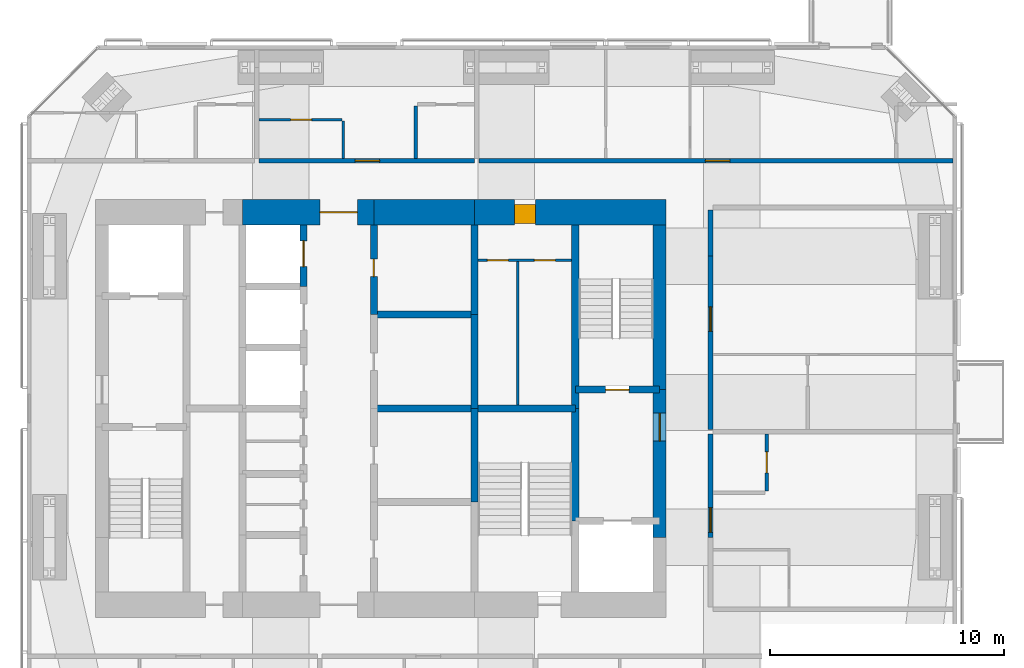
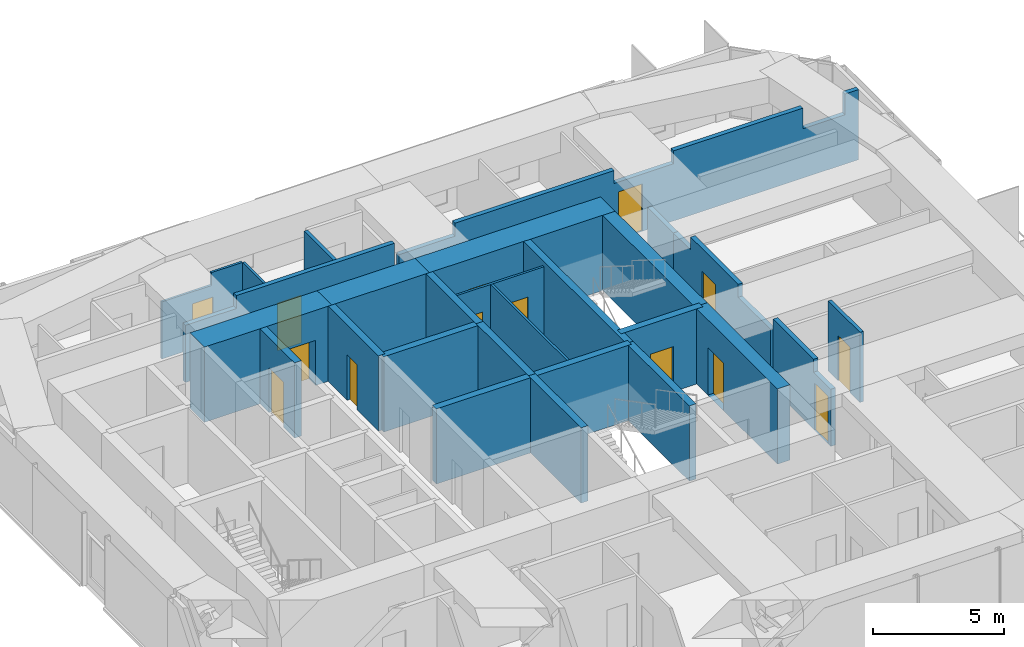
# One storey, part 15 of 18: 27 walls, 14 doors, 14 openings.
"""IFC4 building model written with IfcOpenShell, lengths in metres."""

from ifc_helpers import new_model, si_unit, direction, frame, frame_2d, origin, place, context, subcontext, project, spatial, polyline, rectangle, outline, extrude, material, layer, layer_set, constituent, constituent_set, type_object, element, fill, save


model = new_model("IFC4")

# Units and contexts
model_context = context("Model", 3, precision=1e-05, world=origin(), true_north=direction((0.0, 1.0)))
body_context = subcontext(model_context, "Body", "Model", "MODEL_VIEW")
ifc_project = project(units=[si_unit("LENGTHUNIT", "METRE"), si_unit("AREAUNIT", "SQUARE_METRE"), si_unit("VOLUMEUNIT", "CUBIC_METRE"), si_unit("PLANEANGLEUNIT", "RADIAN"), si_unit("MASSUNIT", "GRAM", prefix="KILO")], contexts=[model_context])

# Site, building, storey
site_placement = place(None, origin())
site = spatial("IfcSite", under=ifc_project, at=site_placement, CompositionType="ELEMENT")
building_placement = place(site_placement, origin())
building = spatial("IfcBuilding", under=site, at=building_placement, Name="Jalousie Tower", CompositionType="ELEMENT")
storey_placement = place(building_placement, frame((0.0, 0.0, 235.449951171875)))
storey = spatial("IfcBuildingStorey", under=building, at=storey_placement, Name="L64", CompositionType="ELEMENT", Elevation=235.449951171875)

# Wall
ifc_material_1 = material(Name="Concrete block ASTM C90", Category="concrete")
ifc_constituent_1 = constituent(ifc_material_1, Name="Body")
ifc_material_2 = material(Name="Render")
ifc_constituent_2 = constituent(ifc_material_2, Name="Finish")
ifc_constituent_set_1 = constituent_set(constituents=[ifc_constituent_1, ifc_constituent_2])
wall_type_1 = type_object("IfcWallType", Name="BATHROOM WALL 150", PredefinedType="PLUMBINGWALL", material=ifc_constituent_set_1)
wall_1_placement = place(storey_placement, frame((33.39990234375, 31.39990234375, 0.0), z_axis=(0.0, 0.0, 1.0), x_axis=(0.0, -1.0, 0.0)))
element("IfcWall", 1, at=wall_1_placement, inside=storey, type_object=wall_type_1, Name="Bathroom Wall 150 L64", PredefinedType="PLUMBINGWALL", context=body_context, shape_type="SweptSolid", body=[
    extrude(rectangle(XDim=2.224853515625, YDim=0.14990234375, at=frame_2d((1.1123046875, 0.0))), origin(), (0.0, 0.0, 1.0), 3.260009765625),
])

# Wall, opening, door
wall_2_placement = place(storey_placement, frame((48.375, 14.97509765625, 0.0), z_axis=(0.0, 0.0, 1.0), x_axis=(0.0, 1.0, 0.0)))
wall_2 = element("IfcWall", 2, at=wall_2_placement, inside=storey, type_object=wall_type_1, Name="Bathroom Wall 150 L64", PredefinedType="PLUMBINGWALL", context=body_context, shape_type="SweptSolid", body=[
    extrude(rectangle(XDim=2.4248046875, YDim=0.14990234375, at=frame_2d((1.21240234375, 0.0))), origin(), (0.0, 0.0, 1.0), 3.260009765625),
])
opening_1_placement = place(wall_2_placement, frame((0.77490234375, 0.0, 0.0)))
opening_1 = element("IfcOpeningElement", 3, at=opening_1_placement, cuts=wall_2, Name="Opening D3", PredefinedType="OPENING", context=body_context, shape_type="SweptSolid", body=[
    extrude(rectangle(XDim=0.89990234375, YDim=2.10009765625, at=frame_2d((0.449951171875, 1.050048828125))), frame((0.0, 0.0849609375, 0.0), z_axis=(0.0, -1.0, 0.0), x_axis=(1.0, 0.0, 0.0)), (0.0, 0.0, 1.0), 0.169921875),
])
ifc_material_3 = material(Name="Timber door", Category="wood")
door_type_1 = type_object("IfcDoorType", Name="BATHROOM DOOR 900", OperationType="SINGLE_SWING_LEFT", PredefinedType="DOOR", material=ifc_material_3)
door_1_placement = place(opening_1_placement, origin())
door_1 = element("IfcDoor", 4, at=door_1_placement, inside=storey, type_object=door_type_1, Name="Apartment 6407 bathroom door", OperationType="SINGLE_SWING_RIGHT", OverallHeight=2.10009765625, OverallWidth=0.89990234375, PredefinedType="DOOR", context=body_context, shape_type="SweptSolid", body=[
    extrude(rectangle(XDim=0.89990234375, YDim=2.10009765625, at=frame_2d((0.449951171875, 1.050048828125))), frame((0.0, 0.02490234375, 0.0), z_axis=(0.0, -1.0, 0.0), x_axis=(1.0, 0.0, 0.0)), (0.0, 0.0, 1.0), 0.050048828125),
])
fill(opening_1, door_1)

ifc_material_4 = material(Name="Concrete f'c 120 MPa", Category="concrete")
ifc_layer_1 = layer(ifc_material_4, 1.10009765625)
ifc_layer_set_1 = layer_set([ifc_layer_1], Name="Concrete f'c 120 MPa")
wall_type_2 = type_object("IfcWallType", Name="CORE WALL 1100", PredefinedType="SHEAR", material=ifc_layer_set_1)
wall_3_placement = place(storey_placement, frame((44.074951171875, 26.875, 0.0), z_axis=(0.0, 0.0, 1.0), x_axis=(-1.0, 0.0, 0.0)))
wall_3 = element("IfcWall", 5, at=wall_3_placement, inside=storey, type_object=wall_type_2, Name="Core wall NA L64", PredefinedType="SHEAR", context=body_context, shape_type="SweptSolid", body=[
    extrude(rectangle(XDim=8.175048828125, YDim=1.10009765625, at=frame_2d((4.08740234375, 0.0))), origin(), (0.0, 0.0, 1.0), 3.5),
])
opening_2_placement = place(wall_3_placement, frame((5.574951171875, 0.0, 0.0)))
opening_2 = element("IfcOpeningElement", 6, at=opening_2_placement, cuts=wall_3, Name="Opening D25", PredefinedType="OPENING", context=body_context, shape_type="SweptSolid", body=[
    extrude(rectangle(XDim=0.89990234375, YDim=2.10009765625, at=frame_2d((0.449951171875, 1.050048828125))), frame((0.0, 0.56005859375, 0.0), z_axis=(0.0, -1.0, 0.0), x_axis=(1.0, 0.0, 0.0)), (0.0, 0.0, 1.0), 1.1201171875),
])
ifc_material_5 = material(Name="Steel fire door", Category="steel")
door_type_2 = type_object("IfcDoorType", Name="SERVICE LOBBY DOOR 900", OperationType="SINGLE_SWING_LEFT", PredefinedType="DOOR", material=ifc_material_5)
door_2_placement = place(opening_2_placement, origin())
door_2 = element("IfcDoor", 7, at=door_2_placement, inside=storey, type_object=door_type_2, Name="Service lobby door", OperationType="SINGLE_SWING_LEFT", OverallHeight=2.10009765625, OverallWidth=0.89990234375, PredefinedType="DOOR", context=body_context, shape_type="SweptSolid", body=[
    extrude(rectangle(XDim=0.89990234375, YDim=2.10009765625, at=frame_2d((0.449951171875, 1.050048828125))), frame((0.0, 0.47021484375, 0.0), z_axis=(0.0, -1.0, 0.0), x_axis=(1.0, 0.0, 0.0)), (0.0, 0.0, 1.0), 0.800048828125),
])
fill(opening_2, door_2)

# Wall
wall_4_placement = place(storey_placement, frame((35.89990234375, 26.875, 0.0), z_axis=(0.0, 0.0, 1.0), x_axis=(-1.0, 0.0, 0.0)))
element("IfcWall", 8, at=wall_4_placement, inside=storey, type_object=wall_type_2, Name="Core wall NB L64", PredefinedType="SHEAR", context=body_context, shape_type="SweptSolid", body=[
    extrude(rectangle(XDim=4.2998046875, YDim=1.10009765625, at=frame_2d((2.14990234375, 0.0))), origin(), (0.0, 0.0, 1.0), 3.5),
])

# Wall, opening, door
wall_5_placement = place(storey_placement, frame((31.60009765625, 26.875, 0.0), z_axis=(0.0, 0.0, 1.0), x_axis=(-1.0, 0.0, 0.0)))
wall_5 = element("IfcWall", 9, at=wall_5_placement, inside=storey, type_object=wall_type_2, Name="Core wall NC L64", PredefinedType="SHEAR", context=body_context, shape_type="SweptSolid", body=[
    extrude(rectangle(XDim=5.60009765625, YDim=1.10009765625, at=frame_2d((2.800048828125, 0.0))), origin(), (0.0, 0.0, 1.0), 3.5),
])
opening_3_placement = place(wall_5_placement, frame((0.699951171875, 0.0, 0.0)))
opening_3 = element("IfcOpeningElement", 10, at=opening_3_placement, cuts=wall_5, Name="Opening D15", PredefinedType="OPENING", context=body_context, shape_type="SweptSolid", body=[
    extrude(rectangle(XDim=1.60009765625, YDim=2.10009765625, at=frame_2d((0.800048828125, 1.050048828125))), frame((0.0, 0.56005859375, 0.0), z_axis=(0.0, -1.0, 0.0), x_axis=(1.0, 0.0, 0.0)), (0.0, 0.0, 1.0), 1.1201171875),
])
ifc_material_6 = material(Name="Steel fire door", Category="steel")
door_type_3 = type_object("IfcDoorType", Name="LIFT LOBBY DOOR 1600", OperationType="DOUBLE_DOOR_SINGLE_SWING", PredefinedType="DOOR", material=ifc_material_6)
door_3_placement = place(opening_3_placement, origin())
door_3 = element("IfcDoor", 11, at=door_3_placement, inside=storey, type_object=door_type_3, Name="Lift lobby north door", OperationType="DOUBLE_DOOR_SINGLE_SWING", OverallHeight=2.10009765625, OverallWidth=1.60009765625, PredefinedType="DOOR", context=body_context, shape_type="SweptSolid", body=[
    extrude(rectangle(XDim=1.60009765625, YDim=2.10009765625, at=frame_2d((0.800048828125, 1.050048828125))), frame((0.0, 0.02490234375, 0.0), z_axis=(0.0, -1.0, 0.0), x_axis=(1.0, 0.0, 0.0)), (0.0, 0.0, 1.0), 0.050048828125),
])
fill(opening_3, door_3)

ifc_material_7 = material(Name="Concrete f'c 120 MPa", Category="concrete")
ifc_layer_2 = layer(ifc_material_7, 0.300048828125)
ifc_layer_set_2 = layer_set([ifc_layer_2], Name="Concrete f'c 120 MPa")
wall_type_3 = type_object("IfcWallType", Name="CORE WALL 300", PredefinedType="SHEAR", material=ifc_layer_set_2)
wall_6_placement = place(storey_placement, frame((28.60009765625, 23.699951171875, 0.0), z_axis=(0.0, 0.0, 1.0), x_axis=(0.0, 1.0, 0.0)))
wall_6 = element("IfcWall", 12, at=wall_6_placement, inside=storey, type_object=wall_type_3, Name="Core wall X28.6F L64", PredefinedType="SHEAR", context=body_context, shape_type="SweptSolid", body=[
    extrude(rectangle(XDim=2.625, YDim=0.300048828125, at=frame_2d((1.3125, 0.0))), origin(), (0.0, 0.0, 1.0), 3.5),
])
opening_4_placement = place(wall_6_placement, frame((0.85009765625, 0.0, 0.0)))
opening_4 = element("IfcOpeningElement", 13, at=opening_4_placement, cuts=wall_6, Name="Opening LD1", PredefinedType="OPENING", context=body_context, shape_type="SweptSolid", body=[
    extrude(rectangle(XDim=1.10009765625, YDim=2.10009765625, at=frame_2d((0.550048828125, 1.050048828125))), frame((0.0, 0.159912109375, 0.0), z_axis=(0.0, -1.0, 0.0), x_axis=(1.0, 0.0, 0.0)), (0.0, 0.0, 1.0), 0.320068359375),
])
ifc_material_8 = material(Name="Steel lift landing door", Category="steel")
door_type_4 = type_object("IfcDoorType", Name="LIFT LANDING DOOR 1100", OperationType="SLIDING_TO_LEFT", PredefinedType="DOOR", material=ifc_material_8)
door_4_placement = place(opening_4_placement, origin())
door_4 = element("IfcDoor", 14, at=door_4_placement, inside=storey, type_object=door_type_4, Name="Lift P6 landing door", OperationType="SLIDING_TO_LEFT", OverallHeight=2.10009765625, OverallWidth=1.10009765625, PredefinedType="DOOR", context=body_context, shape_type="SweptSolid", body=[
    extrude(rectangle(XDim=1.10009765625, YDim=2.10009765625, at=frame_2d((0.550048828125, 1.050048828125))), frame((0.0, 0.02490234375, 0.0), z_axis=(0.0, -1.0, 0.0), x_axis=(1.0, 0.0, 0.0)), (0.0, 0.0, 1.0), 0.050048828125),
])
fill(opening_4, door_4)

wall_7_placement = place(storey_placement, frame((31.60009765625, 22.5, 0.0), z_axis=(0.0, 0.0, 1.0), x_axis=(0.0, 1.0, 0.0)))
wall_7 = element("IfcWall", 15, at=wall_7_placement, inside=storey, type_object=wall_type_3, Name="Core wall X31.6D L64", PredefinedType="SHEAR", context=body_context, shape_type="SweptSolid", body=[
    extrude(rectangle(XDim=3.824951171875, YDim=0.300048828125, at=frame_2d((1.91259765625, 0.0))), origin(), (0.0, 0.0, 1.0), 3.5),
])
opening_5_placement = place(wall_7_placement, frame((1.625, 0.0, 0.0)))
opening_5 = element("IfcOpeningElement", 16, at=opening_5_placement, cuts=wall_7, Name="Opening D16", PredefinedType="OPENING", context=body_context, shape_type="SweptSolid", body=[
    extrude(rectangle(XDim=0.75, YDim=2.10009765625, at=frame_2d((0.375, 1.050048828125))), frame((0.0, 0.159912109375, 0.0), z_axis=(0.0, -1.0, 0.0), x_axis=(1.0, 0.0, 0.0)), (0.0, 0.0, 1.0), 0.320068359375),
])
ifc_material_9 = material(Name="Steel fire door", Category="steel")
door_type_5 = type_object("IfcDoorType", Name="RISER DOOR 750", OperationType="SINGLE_SWING_LEFT", PredefinedType="DOOR", material=ifc_material_9)
door_5_placement = place(opening_5_placement, frame((0.75, 0.0, 0.0), z_axis=(0.0, 0.0, 1.0), x_axis=(-1.0, 0.0, 0.0)))
door_5 = element("IfcDoor", 17, at=door_5_placement, inside=storey, type_object=door_type_5, Name="Water Services Room door", OperationType="SINGLE_SWING_LEFT", OverallHeight=2.10009765625, OverallWidth=0.75, PredefinedType="DOOR", context=body_context, shape_type="SweptSolid", body=[
    extrude(rectangle(XDim=0.75, YDim=2.10009765625, at=frame_2d((0.375, 1.050048828125))), frame((0.0, 0.02490234375, 0.0), z_axis=(0.0, -1.0, 0.0), x_axis=(1.0, 0.0, 0.0)), (0.0, 0.0, 1.0), 0.050048828125),
])
fill(opening_5, door_5)

# Walls
for number, where, z_axis, x_axis, name in (
    (18, (35.89990234375, 14.5, 0.0), (0.0, 0.0, 1.0), (0.0, 1.0, 0.0), "Core wall X35.9B L64"),
    (19, (35.89990234375, 18.5, 0.0), (0.0, 0.0, 1.0), (0.0, 1.0, 0.0), "Core wall X35.9C L64"),
):
    element("IfcWall", number, at=place(storey_placement, frame(where, z_axis=z_axis, x_axis=x_axis)), inside=storey, type_object=wall_type_3, Name=name, PredefinedType="SHEAR", context=body_context, shape_type="SweptSolid", body=[
        extrude(rectangle(XDim=4.0, YDim=0.300048828125, at=frame_2d((2.0, 0.0))), origin(), (0.0, 0.0, 1.0), 3.5),
    ])
wall_8_placement = place(storey_placement, frame((35.89990234375, 22.5, 0.0), z_axis=(0.0, 0.0, 1.0), x_axis=(0.0, 1.0, 0.0)))
element("IfcWall", 20, at=wall_8_placement, inside=storey, type_object=wall_type_3, Name="Core wall X35.9D L64", PredefinedType="SHEAR", context=body_context, shape_type="SweptSolid", body=[
    extrude(rectangle(XDim=3.824951171875, YDim=0.300048828125, at=frame_2d((1.91259765625, 0.0))), origin(), (0.0, 0.0, 1.0), 3.5),
])
wall_9_placement = place(storey_placement, frame((40.199951171875, 13.699951171875, 0.0), z_axis=(0.0, 0.0, 1.0), x_axis=(0.0, 1.0, 0.0)))
element("IfcWall", 21, at=wall_9_placement, inside=storey, type_object=wall_type_3, Name="Core wall X40.2B L64", PredefinedType="SHEAR", context=body_context, shape_type="SweptSolid", body=[
    extrude(rectangle(XDim=4.800048828125, YDim=0.300048828125, at=frame_2d((2.39990234375, 0.0))), origin(), (0.0, 0.0, 1.0), 3.5),
])
wall_10_placement = place(storey_placement, frame((40.199951171875, 18.5, 0.0), z_axis=(0.0, 0.0, 1.0), x_axis=(0.0, 1.0, 0.0)))
element("IfcWall", 22, at=wall_10_placement, inside=storey, type_object=wall_type_3, Name="Core wall X40.2C L64", PredefinedType="SHEAR", context=body_context, shape_type="SweptSolid", body=[
    extrude(rectangle(XDim=7.824951171875, YDim=0.300048828125, at=frame_2d((3.91259765625, 0.0))), origin(), (0.0, 0.0, 1.0), 3.5),
])
for number, where, z_axis, x_axis, name in (
    (23, (31.60009765625, 18.5, 0.0), (0.0, 0.0, 1.0), (1.0, 0.0, 0.0), "Core wall Y31.6-18.5 L64"),
    (24, (31.60009765625, 22.5, 0.0), (0.0, 0.0, 1.0), (1.0, 0.0, 0.0), "Core wall Y31.6-22.5 L64"),
):
    element("IfcWall", number, at=place(storey_placement, frame(where, z_axis=z_axis, x_axis=x_axis)), inside=storey, type_object=wall_type_3, Name=name, PredefinedType="SHEAR", context=body_context, shape_type="SweptSolid", body=[
        extrude(rectangle(XDim=4.2998046875, YDim=0.300048828125, at=frame_2d((2.14990234375, 0.0))), origin(), (0.0, 0.0, 1.0), 3.5),
    ])
wall_11_placement = place(storey_placement, frame((35.89990234375, 18.5, 0.0), z_axis=(0.0, 0.0, 1.0), x_axis=(1.0, 0.0, 0.0)))
element("IfcWall", 25, at=wall_11_placement, inside=storey, type_object=wall_type_3, Name="Core wall Y35.9-18.5 L64", PredefinedType="SHEAR", context=body_context, shape_type="SweptSolid", body=[
    extrude(rectangle(XDim=4.300048828125, YDim=0.300048828125, at=frame_2d((2.14990234375, 0.0))), origin(), (0.0, 0.0, 1.0), 3.5),
])

# Wall, opening, door
wall_12_placement = place(storey_placement, frame((40.199951171875, 19.300048828125, 0.0), z_axis=(0.0, 0.0, 1.0), x_axis=(1.0, 0.0, 0.0)))
wall_12 = element("IfcWall", 26, at=wall_12_placement, inside=storey, type_object=wall_type_3, Name="Core wall Y40.2-19.3 L64", PredefinedType="SHEAR", context=body_context, shape_type="SweptSolid", body=[
    extrude(rectangle(XDim=3.60009765625, YDim=0.300048828125, at=frame_2d((1.800048828125, 0.0))), origin(), (0.0, 0.0, 1.0), 3.5),
])
opening_6_placement = place(wall_12_placement, frame((1.300048828125, 0.0, 0.0)))
opening_6 = element("IfcOpeningElement", 27, at=opening_6_placement, cuts=wall_12, Name="Opening D10", PredefinedType="OPENING", context=body_context, shape_type="SweptSolid", body=[
    extrude(rectangle(XDim=1.0, YDim=2.10009765625, at=frame_2d((0.5, 1.050048828125))), frame((0.0, 0.159912109375, 0.0), z_axis=(0.0, -1.0, 0.0), x_axis=(1.0, 0.0, 0.0)), (0.0, 0.0, 1.0), 0.320068359375),
])
ifc_material_10 = material(Name="Steel fire door", Category="steel")
door_type_6 = type_object("IfcDoorType", Name="STAIR DOOR 1000", OperationType="SINGLE_SWING_LEFT", PredefinedType="DOOR", material=ifc_material_10)
door_6_placement = place(opening_6_placement, origin())
door_6 = element("IfcDoor", 28, at=door_6_placement, inside=storey, type_object=door_type_6, Name="Exit stair B door", OperationType="SINGLE_SWING_RIGHT", OverallHeight=2.10009765625, OverallWidth=1.0, PredefinedType="DOOR", context=body_context, shape_type="SweptSolid", body=[
    extrude(rectangle(XDim=1.0, YDim=2.10009765625, at=frame_2d((0.5, 1.050048828125))), frame((0.0, 0.02490234375, 0.0), z_axis=(0.0, -1.0, 0.0), x_axis=(1.0, 0.0, 0.0)), (0.0, 0.0, 1.0), 0.050048828125),
])
fill(opening_6, door_6)

ifc_material_11 = material(Name="Concrete f'c 120 MPa", Category="concrete")
ifc_layer_3 = layer(ifc_material_11, 0.550048828125)
ifc_layer_set_3 = layer_set([ifc_layer_3], Name="Concrete f'c 120 MPa")
wall_type_4 = type_object("IfcWallType", Name="CORE WALL 550", PredefinedType="SHEAR", material=ifc_layer_set_3)
wall_13_placement = place(storey_placement, frame((43.800048828125, 13.0, 0.0), z_axis=(0.0, 0.0, 1.0), x_axis=(0.0, 1.0, 0.0)))
wall_13 = element("IfcWall", 29, at=wall_13_placement, inside=storey, type_object=wall_type_4, Name="Core wall EB L64", PredefinedType="SHEAR", context=body_context, shape_type="SweptSolid", body=[
    extrude(rectangle(XDim=6.300048828125, YDim=0.550048828125, at=frame_2d((3.14990234375, 0.0))), origin(), (0.0, 0.0, 1.0), 3.5),
])
opening_7_placement = place(wall_13_placement, frame((4.10009765625, 0.0, 0.0)))
opening_7 = element("IfcOpeningElement", 30, at=opening_7_placement, cuts=wall_13, Name="Opening D11", PredefinedType="OPENING", context=body_context, shape_type="SweptSolid", body=[
    extrude(rectangle(XDim=1.199951171875, YDim=2.199951171875, at=frame_2d((0.60009765625, 1.10009765625))), frame((0.0, 0.284912109375, 0.0), z_axis=(0.0, -1.0, 0.0), x_axis=(1.0, 0.0, 0.0)), (0.0, 0.0, 1.0), 0.570068359375),
])
ifc_material_12 = material(Name="Steel fire door", Category="steel")
door_type_7 = type_object("IfcDoorType", Name="FIRE DOOR 1200", OperationType="SINGLE_SWING_LEFT", PredefinedType="DOOR", material=ifc_material_12)
door_7_placement = place(opening_7_placement, origin())
door_7 = element("IfcDoor", 31, at=door_7_placement, inside=storey, type_object=door_type_7, Name="Fire-fighting lobby B door", OperationType="SINGLE_SWING_RIGHT", OverallHeight=2.199951171875, OverallWidth=1.199951171875, PredefinedType="DOOR", context=body_context, shape_type="SweptSolid", body=[
    extrude(rectangle(XDim=1.199951171875, YDim=2.199951171875, at=frame_2d((0.60009765625, 1.10009765625))), frame((0.0, 0.02490234375, 0.0), z_axis=(0.0, -1.0, 0.0), x_axis=(1.0, 0.0, 0.0)), (0.0, 0.0, 1.0), 0.050048828125),
])
fill(opening_7, door_7)

# Wall
wall_14_placement = place(storey_placement, frame((43.800048828125, 19.300048828125, 0.0), z_axis=(0.0, 0.0, 1.0), x_axis=(0.0, 1.0, 0.0)))
element("IfcWall", 32, at=wall_14_placement, inside=storey, type_object=wall_type_4, Name="Core wall EC L64", PredefinedType="SHEAR", context=body_context, shape_type="SweptSolid", body=[
    extrude(rectangle(XDim=7.02490234375, YDim=0.550048828125, at=frame_2d((3.512451171875, 0.0))), origin(), (0.0, 0.0, 1.0), 3.5),
])

# Wall, opening, door
ifc_material_13 = material(Name="Concrete block ASTM C90", Category="concrete")
ifc_constituent_3 = constituent(ifc_material_13, Name="Body")
ifc_material_14 = material(Name="Render")
ifc_constituent_4 = constituent(ifc_material_14, Name="Finish")
ifc_constituent_set_2 = constituent_set(constituents=[ifc_constituent_3, ifc_constituent_4])
wall_type_5 = type_object("IfcWallType", Name="CORRIDOR WALL 200", PredefinedType="PARTITIONING", material=ifc_constituent_set_2)
wall_15_placement = place(storey_placement, frame((26.699951171875, 29.074951171875, 0.0), z_axis=(0.0, 0.0, 1.0), x_axis=(1.0, 0.0, 0.0)))
wall_15 = element("IfcWall", 33, at=wall_15_placement, inside=storey, type_object=wall_type_5, Name="Corridor Wall 200 L64", PredefinedType="PARTITIONING", context=body_context, shape_type="SweptSolid", body=[
    extrude(outline(polyline([(0.0, 0.0), (9.199951171875, 0.0), (9.199951171875, 3.260009765625), (2.235107421875, 3.260009765625), (2.235107421875, 2.66015625), (0.0, 2.66015625), (0.0, 3.260009765625), (0.0, 0.0)])), frame((0.0, 0.10009765625, 0.0), z_axis=(0.0, -1.0, 0.0), x_axis=(1.0, 0.0, 0.0)), (0.0, 0.0, 1.0), 0.199951171875),
])
opening_8_placement = place(wall_15_placement, frame((4.10009765625, 0.0, 0.0)))
opening_8 = element("IfcOpeningElement", 34, at=opening_8_placement, cuts=wall_15, Name="Opening D1", PredefinedType="OPENING", context=body_context, shape_type="SweptSolid", body=[
    extrude(rectangle(XDim=1.050048828125, YDim=2.199951171875, at=frame_2d((0.52490234375, 1.10009765625))), frame((0.0, 0.10986328125, 0.0), z_axis=(0.0, -1.0, 0.0), x_axis=(1.0, 0.0, 0.0)), (0.0, 0.0, 1.0), 0.219970703125),
])
ifc_material_15 = material(Name="Timber fire door", Category="wood")
door_type_8 = type_object("IfcDoorType", Name="APARTMENT ENTRANCE DOOR 1050", OperationType="SINGLE_SWING_LEFT", PredefinedType="DOOR", material=ifc_material_15)
door_8_placement = place(opening_8_placement, origin())
door_8 = element("IfcDoor", 35, at=door_8_placement, inside=storey, type_object=door_type_8, Name="Apartment 6405 entrance", OperationType="SINGLE_SWING_LEFT", OverallHeight=2.199951171875, OverallWidth=1.050048828125, PredefinedType="DOOR", context=body_context, shape_type="SweptSolid", body=[
    extrude(rectangle(XDim=1.050048828125, YDim=2.199951171875, at=frame_2d((0.52490234375, 1.10009765625))), frame((0.0, 0.02490234375, 0.0), z_axis=(0.0, -1.0, 0.0), x_axis=(1.0, 0.0, 0.0)), (0.0, 0.0, 1.0), 0.050048828125),
])
fill(opening_8, door_8)

wall_16_placement = place(storey_placement, frame((36.10009765625, 29.074951171875, 0.0), z_axis=(0.0, 0.0, 1.0), x_axis=(1.0, 0.0, 0.0)))
wall_16 = element("IfcWall", 36, at=wall_16_placement, inside=storey, type_object=wall_type_5, Name="Corridor Wall 200 L64", PredefinedType="PARTITIONING", context=body_context, shape_type="SweptSolid", body=[
    extrude(outline(polyline([(0.0, 0.0), (20.224853515625, 0.0), (20.22509765625, 3.260009765625), (19.621337890625, 3.260009765625), (19.621337890625, 2.300048828125), (17.7705078125, 2.300048828125), (17.7705078125, 3.260009765625), (12.0849609375, 3.260009765625), (12.0849609375, 2.66015625), (9.465087890625, 2.66015625), (9.465087890625, 3.260009765625), (2.4599609375, 3.260009765625), (2.4599609375, 2.66015625), (0.0, 2.66015625), (0.0, 3.260009765625), (0.0, 0.0)])), frame((0.0, 0.10009765625, 0.0), z_axis=(0.0, -1.0, 0.0), x_axis=(1.0, 0.0, 0.0)), (0.0, 0.0, 1.0), 0.199951171875),
])
opening_9_placement = place(wall_16_placement, frame((9.64990234375, 0.0, 0.0)))
opening_9 = element("IfcOpeningElement", 37, at=opening_9_placement, cuts=wall_16, Name="Opening D1", PredefinedType="OPENING", context=body_context, shape_type="SweptSolid", body=[
    extrude(rectangle(XDim=1.050048828125, YDim=2.199951171875, at=frame_2d((0.52490234375, 1.10009765625))), frame((0.0, 0.10986328125, 0.0), z_axis=(0.0, -1.0, 0.0), x_axis=(1.0, 0.0, 0.0)), (0.0, 0.0, 1.0), 0.219970703125),
])
door_9_placement = place(opening_9_placement, origin())
door_9 = element("IfcDoor", 38, at=door_9_placement, inside=storey, type_object=door_type_8, Name="Apartment 6406 entrance", OperationType="SINGLE_SWING_LEFT", OverallHeight=2.199951171875, OverallWidth=1.050048828125, PredefinedType="DOOR", context=body_context, shape_type="SweptSolid", body=[
    extrude(rectangle(XDim=1.050048828125, YDim=2.199951171875, at=frame_2d((0.52490234375, 1.10009765625))), frame((0.0, 0.02490234375, 0.0), z_axis=(0.0, -1.0, 0.0), x_axis=(1.0, 0.0, 0.0)), (0.0, 0.0, 1.0), 0.050048828125),
])
fill(opening_9, door_9)

wall_17_placement = place(storey_placement, frame((45.97509765625, 13.0, 0.0), z_axis=(0.0, 0.0, 1.0), x_axis=(0.0, 1.0, 0.0)))
wall_17 = element("IfcWall", 39, at=wall_17_placement, inside=storey, type_object=wall_type_5, Name="Corridor Wall 200 L64-B", PredefinedType="PARTITIONING", context=body_context, shape_type="SweptSolid", body=[
    extrude(outline(polyline([(0.0, 0.0), (4.39990234375, 0.0), (4.39990234375, 3.260009765625), (1.31005859375, 3.260009765625), (1.31005859375, 2.66015625), (0.0, 2.66015625), (0.0, 0.0)])), frame((0.0, 0.10009765625, 0.0), z_axis=(0.0, -1.0, 0.0), x_axis=(1.0, 0.0, 0.0)), (0.0, 0.0, 1.0), 0.199951171875),
])
opening_10_placement = place(wall_17_placement, frame((0.21240234375, 0.0, 0.0)))
opening_10 = element("IfcOpeningElement", 40, at=opening_10_placement, cuts=wall_17, Name="Opening D1", PredefinedType="OPENING", context=body_context, shape_type="SweptSolid", body=[
    extrude(rectangle(XDim=1.050048828125, YDim=2.199951171875, at=frame_2d((0.52490234375, 1.10009765625))), frame((0.0, 0.10986328125, 0.0), z_axis=(0.0, -1.0, 0.0), x_axis=(1.0, 0.0, 0.0)), (0.0, 0.0, 1.0), 0.219970703125),
])
door_10_placement = place(opening_10_placement, frame((1.050048828125, 0.0, 0.0), z_axis=(0.0, 0.0, 1.0), x_axis=(-1.0, 0.0, 0.0)))
door_10 = element("IfcDoor", 41, at=door_10_placement, inside=storey, type_object=door_type_8, Name="Apartment 6407 entrance", OperationType="SINGLE_SWING_LEFT", OverallHeight=2.199951171875, OverallWidth=1.050048828125, PredefinedType="DOOR", context=body_context, shape_type="SweptSolid", body=[
    extrude(rectangle(XDim=1.050048828125, YDim=2.199951171875, at=frame_2d((0.52490234375, 1.10009765625))), frame((0.0, 0.02490234375, 0.0), z_axis=(0.0, -1.0, 0.0), x_axis=(1.0, 0.0, 0.0)), (0.0, 0.0, 1.0), 0.050048828125),
])
fill(opening_10, door_10)

wall_18_placement = place(storey_placement, frame((45.97509765625, 17.60009765625, 0.0), z_axis=(0.0, 0.0, 1.0), x_axis=(0.0, 1.0, 0.0)))
wall_18 = element("IfcWall", 42, at=wall_18_placement, inside=storey, type_object=wall_type_5, Name="Corridor Wall 200 L64-A", PredefinedType="PARTITIONING", context=body_context, shape_type="SweptSolid", body=[
    extrude(outline(polyline([(0.0, 0.0), (7.39990234375, 0.0), (7.39990234375, 2.66015625), (6.090087890625, 2.66015625), (6.090087890625, 3.260009765625), (2.4599609375, 3.260009765625), (2.4599609375, 2.66015625), (0.0, 2.66015625), (0.0, 0.0)])), frame((0.0, 0.10009765625, 0.0), z_axis=(0.0, -1.0, 0.0), x_axis=(1.0, 0.0, 0.0)), (0.0, 0.0, 1.0), 0.199951171875),
])
opening_11_placement = place(wall_18_placement, frame((4.1875, 0.0, 0.0)))
opening_11 = element("IfcOpeningElement", 43, at=opening_11_placement, cuts=wall_18, Name="Opening D1", PredefinedType="OPENING", context=body_context, shape_type="SweptSolid", body=[
    extrude(rectangle(XDim=1.050048828125, YDim=2.199951171875, at=frame_2d((0.52490234375, 1.10009765625))), frame((0.0, 0.10986328125, 0.0), z_axis=(0.0, -1.0, 0.0), x_axis=(1.0, 0.0, 0.0)), (0.0, 0.0, 1.0), 0.219970703125),
])
door_11_placement = place(opening_11_placement, frame((1.050048828125, 0.0, 0.0), z_axis=(0.0, 0.0, 1.0), x_axis=(-1.0, 0.0, 0.0)))
door_11 = element("IfcDoor", 44, at=door_11_placement, inside=storey, type_object=door_type_8, Name="Apartment 6408 entrance", OperationType="SINGLE_SWING_RIGHT", OverallHeight=2.199951171875, OverallWidth=1.050048828125, PredefinedType="DOOR", context=body_context, shape_type="SweptSolid", body=[
    extrude(rectangle(XDim=1.050048828125, YDim=2.199951171875, at=frame_2d((0.52490234375, 1.10009765625))), frame((0.0, 0.02490234375, 0.0), z_axis=(0.0, -1.0, 0.0), x_axis=(1.0, 0.0, 0.0)), (0.0, 0.0, 1.0), 0.050048828125),
])
fill(opening_11, door_11)

# Wall
wall_19_placement = place(storey_placement, frame((45.97509765625, 25.0, 0.0), z_axis=(0.0, 0.0, 1.0), x_axis=(0.0, 1.0, 0.0)))
element("IfcWall", 45, at=wall_19_placement, inside=storey, type_object=wall_type_5, Name="Corridor Wall 200 L64-B", PredefinedType="PARTITIONING", context=body_context, shape_type="SweptSolid", body=[
    extrude(rectangle(XDim=1.97509765625, YDim=0.199951171875, at=frame_2d((0.987548828125, 0.0))), origin(), (0.0, 0.0, 1.0), 2.66015625),
])

# Wall, opening, door
ifc_material_16 = material(Name="Gypsum board", Category="gypsum")
ifc_constituent_5 = constituent(ifc_material_16, Name="Body")
ifc_material_17 = material(Name="Light-gauge steel studs ASTM A653 SS Grade 33", Category="steel")
ifc_constituent_6 = constituent(ifc_material_17, Name="Framing")
ifc_constituent_set_3 = constituent_set(constituents=[ifc_constituent_5, ifc_constituent_6])
wall_type_6 = type_object("IfcWallType", Name="PARTITION 100", PredefinedType="PARTITIONING", material=ifc_constituent_set_3)
wall_20_placement = place(storey_placement, frame((26.699951171875, 30.824951171875, 0.0), z_axis=(0.0, 0.0, 1.0), x_axis=(1.0, 0.0, 0.0)))
wall_20 = element("IfcWall", 46, at=wall_20_placement, inside=storey, type_object=wall_type_6, Name="Partition 100 L64", PredefinedType="PARTITIONING", context=body_context, shape_type="SweptSolid", body=[
    extrude(outline(polyline([(0.0, 0.0), (3.550048828125, 0.0), (3.550048828125, 3.260009765625), (2.18505859375, 3.260009765625), (2.18505859375, 2.66015625), (0.0, 2.66015625), (0.0, 3.260009765625), (0.0, 0.0)])), frame((0.0, 0.050048828125, 0.0), z_axis=(0.0, -1.0, 0.0), x_axis=(1.0, 0.0, 0.0)), (0.0, 0.0, 1.0), 0.10009765625),
])
opening_12_placement = place(wall_20_placement, frame((1.35009765625, 0.0, 0.0)))
opening_12 = element("IfcOpeningElement", 47, at=opening_12_placement, cuts=wall_20, Name="Opening D7", PredefinedType="OPENING", context=body_context, shape_type="SweptSolid", body=[
    extrude(rectangle(XDim=0.89990234375, YDim=2.10009765625, at=frame_2d((0.449951171875, 1.050048828125))), frame((0.0, 0.06005859375, 0.0), z_axis=(0.0, -1.0, 0.0), x_axis=(1.0, 0.0, 0.0)), (0.0, 0.0, 1.0), 0.1201171875),
])
ifc_material_18 = material(Name="Timber door", Category="wood")
door_type_9 = type_object("IfcDoorType", Name="INTERNAL DOOR 900", OperationType="SINGLE_SWING_LEFT", PredefinedType="DOOR", material=ifc_material_18)
door_12_placement = place(opening_12_placement, frame((0.89990234375, 0.0, 0.0), z_axis=(0.0, 0.0, 1.0), x_axis=(-1.0, 0.0, 0.0)))
door_12 = element("IfcDoor", 48, at=door_12_placement, inside=storey, type_object=door_type_9, Name="Apartment 6405 kitchen door", OperationType="SINGLE_SWING_LEFT", OverallHeight=2.10009765625, OverallWidth=0.89990234375, PredefinedType="DOOR", context=body_context, shape_type="SweptSolid", body=[
    extrude(rectangle(XDim=0.89990234375, YDim=2.10009765625, at=frame_2d((0.449951171875, 1.050048828125))), frame((0.0, 0.02490234375, 0.0), z_axis=(0.0, -1.0, 0.0), x_axis=(1.0, 0.0, 0.0)), (0.0, 0.0, 1.0), 0.050048828125),
])
fill(opening_12, door_12)

# Wall
wall_21_placement = place(storey_placement, frame((30.300048828125, 30.77490234375, 0.0), z_axis=(0.0, 0.0, 1.0), x_axis=(0.0, -1.0, 0.0)))
element("IfcWall", 49, at=wall_21_placement, inside=storey, type_object=wall_type_6, Name="Partition 100 L64", PredefinedType="PARTITIONING", context=body_context, shape_type="SweptSolid", body=[
    extrude(rectangle(XDim=1.599853515625, YDim=0.10009765625, at=frame_2d((0.7998046875, 0.0))), origin(), (0.0, 0.0, 1.0), 3.260009765625),
])

# Wall, openings, doors
wall_22_placement = place(storey_placement, frame((36.050048828125, 24.824951171875, 0.0), z_axis=(0.0, 0.0, 1.0), x_axis=(1.0, 0.0, 0.0)))
wall_22 = element("IfcWall", 50, at=wall_22_placement, inside=storey, type_object=wall_type_6, Name="Partition 100 L64", PredefinedType="PARTITIONING", context=body_context, shape_type="SweptSolid", body=[
    extrude(rectangle(XDim=4.0, YDim=0.10009765625, at=frame_2d((2.0, 0.0))), origin(), (0.0, 0.0, 1.0), 3.260009765625),
])
opening_13_placement = place(wall_22_placement, frame((0.39990234375, 0.0, 0.0)))
opening_13 = element("IfcOpeningElement", 51, at=opening_13_placement, cuts=wall_22, Name="Opening D7", PredefinedType="OPENING", context=body_context, shape_type="SweptSolid", body=[
    extrude(rectangle(XDim=0.89990234375, YDim=2.10009765625, at=frame_2d((0.449951171875, 1.050048828125))), frame((0.0, 0.06005859375, 0.0), z_axis=(0.0, -1.0, 0.0), x_axis=(1.0, 0.0, 0.0)), (0.0, 0.0, 1.0), 0.1201171875),
])
opening_14_placement = place(wall_22_placement, frame((2.39990234375, 0.0, 0.0)))
opening_14 = element("IfcOpeningElement", 52, at=opening_14_placement, cuts=wall_22, Name="Opening D7", PredefinedType="OPENING", context=body_context, shape_type="SweptSolid", body=[
    extrude(rectangle(XDim=0.89990234375, YDim=2.10009765625, at=frame_2d((0.449951171875, 1.050048828125))), frame((0.0, 0.06005859375, 0.0), z_axis=(0.0, -1.0, 0.0), x_axis=(1.0, 0.0, 0.0)), (0.0, 0.0, 1.0), 0.1201171875),
])
door_13_placement = place(opening_13_placement, frame((0.89990234375, 0.0, 0.0), z_axis=(0.0, 0.0, 1.0), x_axis=(-1.0, 0.0, 0.0)))
door_13 = element("IfcDoor", 53, at=door_13_placement, inside=storey, type_object=door_type_9, Name="Staff WC door", OperationType="SINGLE_SWING_LEFT", OverallHeight=2.10009765625, OverallWidth=0.89990234375, PredefinedType="DOOR", context=body_context, shape_type="SweptSolid", body=[
    extrude(rectangle(XDim=0.89990234375, YDim=2.10009765625, at=frame_2d((0.449951171875, 1.050048828125))), frame((0.0, 0.02490234375, 0.0), z_axis=(0.0, -1.0, 0.0), x_axis=(1.0, 0.0, 0.0)), (0.0, 0.0, 1.0), 0.050048828125),
])
fill(opening_13, door_13)
door_14_placement = place(opening_14_placement, frame((0.89990234375, 0.0, 0.0), z_axis=(0.0, 0.0, 1.0), x_axis=(-1.0, 0.0, 0.0)))
door_14 = element("IfcDoor", 54, at=door_14_placement, inside=storey, type_object=door_type_9, Name="Pantry door", OperationType="SINGLE_SWING_RIGHT", OverallHeight=2.10009765625, OverallWidth=0.89990234375, PredefinedType="DOOR", context=body_context, shape_type="SweptSolid", body=[
    extrude(rectangle(XDim=0.89990234375, YDim=2.10009765625, at=frame_2d((0.449951171875, 1.050048828125))), frame((0.0, 0.02490234375, 0.0), z_axis=(0.0, -1.0, 0.0), x_axis=(1.0, 0.0, 0.0)), (0.0, 0.0, 1.0), 0.050048828125),
])
fill(opening_14, door_14)

# Wall
wall_23_placement = place(storey_placement, frame((37.75, 18.64990234375, 0.0), z_axis=(0.0, 0.0, 1.0), x_axis=(0.0, 1.0, 0.0)))
element("IfcWall", 55, at=wall_23_placement, inside=storey, type_object=wall_type_6, Name="Partition 100 L64", PredefinedType="PARTITIONING", context=body_context, shape_type="SweptSolid", body=[
    extrude(rectangle(XDim=6.125, YDim=0.10009765625, at=frame_2d((3.0625, 0.0))), origin(), (0.0, 0.0, 1.0), 3.260009765625),
])

save(model, "model.ifc")
